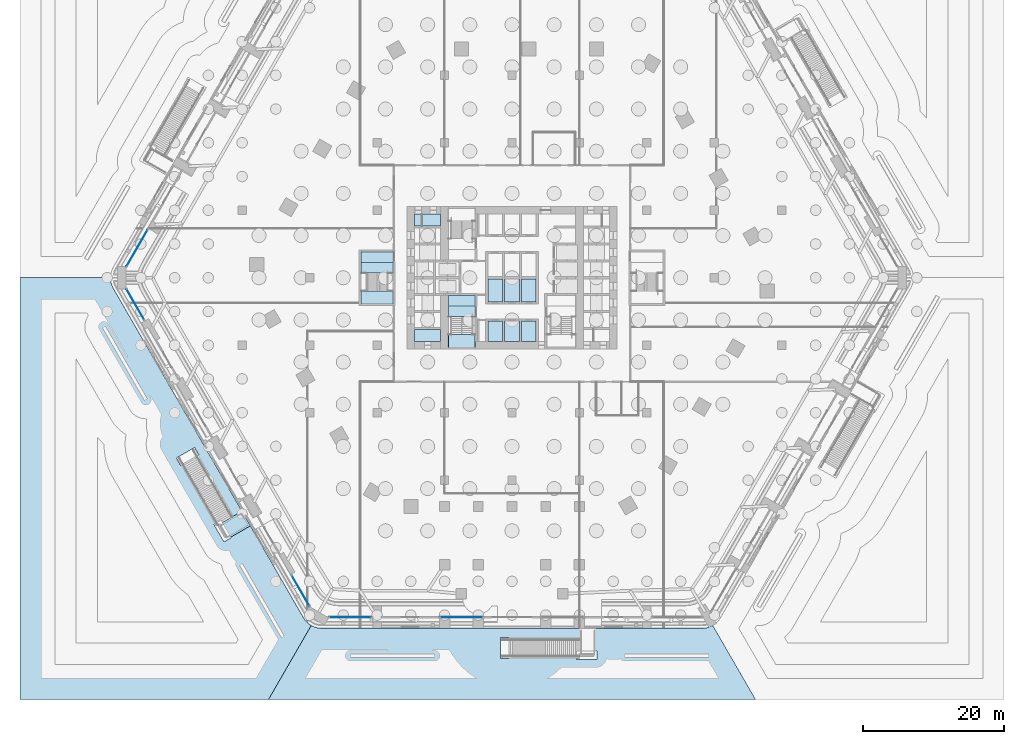
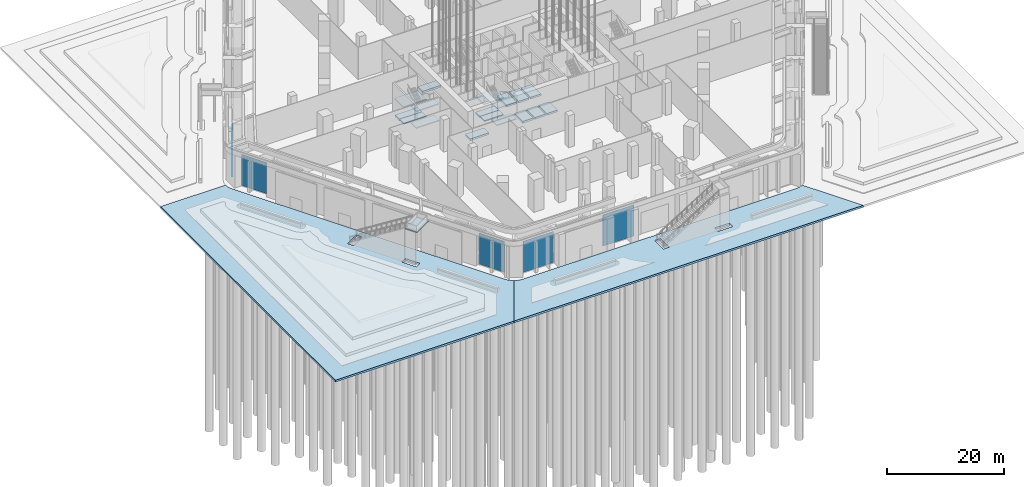
# One storey, part 10 of 68: 21 slabs, 5 plates, 8 elements without a shape of their own.
"""IFC4 building model written with IfcOpenShell, lengths in metres."""

from ifc_helpers import new_model, si_unit, direction, frame, origin, origin_2d, place, context, subcontext, project, spatial, polyline, rectangle, outline, extrude, material, layer, layer_set, type_object, element, aggregate, save


model = new_model("IFC4")

# Units and contexts
model_context = context("Model", 3, precision=1e-05, world=origin(), true_north=direction((0.0, 1.0)))
body_context = subcontext(model_context, "Body", "Model", "MODEL_VIEW")
ifc_project = project(units=[si_unit("LENGTHUNIT", "METRE"), si_unit("AREAUNIT", "SQUARE_METRE"), si_unit("VOLUMEUNIT", "CUBIC_METRE"), si_unit("PLANEANGLEUNIT", "RADIAN"), si_unit("MASSUNIT", "GRAM", prefix="KILO")], contexts=[model_context])

# Site, building, storey
site_placement = place(None, origin())
site = spatial("IfcSite", under=ifc_project, at=site_placement, CompositionType="ELEMENT")
building_placement = place(site_placement, origin())
building = spatial("IfcBuilding", under=site, at=building_placement, Name="Kolab Exchange Tower", CompositionType="ELEMENT")
storey_placement = place(building_placement, origin())
storey = spatial("IfcBuildingStorey", under=building, at=storey_placement, Name="L00", CompositionType="ELEMENT", Elevation=0.0)

# Stair, slab
ifc_material_1 = material(Name="Concrete C40/50", Category="concrete")
stair_type_1 = type_object("IfcStairType", Name="GARDEN STAIR RUN C", PredefinedType="STRAIGHT_RUN_STAIR", material=ifc_material_1)
stair_1_placement = place(storey_placement, origin())
stair_1 = element("IfcStair", 1, at=stair_1_placement, inside=storey, type_object=stair_type_1, Name="Garden stair GS5 run C", PredefinedType="STRAIGHT_RUN_STAIR")
ifc_layer_1 = layer(ifc_material_1, 0.199951171875)
ifc_layer_set_1 = layer_set([ifc_layer_1], Name="Concrete C40/50")
slab_type_1 = type_object("IfcSlabType", Name="GARDEN STAIR LANDING 200", PredefinedType="LANDING", material=ifc_layer_set_1)
slab_1_placement = place(storey_placement, frame((0.0, 0.0, 6.800048828125)))
slab_1 = element("IfcSlab", 2, at=slab_1_placement, type_object=slab_type_1, Name="GS5 landing 1", PredefinedType="LANDING", context=body_context, shape_type="SweptSolid", body=[
    extrude(outline(polyline([(-37.219970703125, -35.29931640625), (-38.422607421875, -33.21630859375), (-41.88671875, -35.21630859375), (-40.68408203125, -37.29931640625), (-37.219970703125, -35.29931640625)])), origin(), (0.0, 0.0, 1.0), 0.199951171875),
])
aggregate(stair_1, [slab_1])

# Slabs
ifc_material_2 = material(Name="Concrete C35/45", Category="concrete")
ifc_layer_2 = layer(ifc_material_2, 0.39990234375)
ifc_layer_set_2 = layer_set([ifc_layer_2], Name="Concrete C35/45")
slab_type_2 = type_object("IfcSlabType", Name="GROUND SLAB 400", PredefinedType="BASESLAB", material=ifc_layer_set_2)
slab_2_placement = place(storey_placement, frame((0.0, 0.0, -0.39990234375)))
element("IfcSlab", 3, at=slab_2_placement, inside=storey, type_object=slab_type_2, Name="slab/L00/floor/2", PredefinedType="BASESLAB", context=body_context, shape_type="SweptSolid", body=[
    extrude(outline(polyline([(-1.35009765625, -0.14990234375), (-3.449951171875, -0.14990234375), (-3.449951171875, -3.449951171875), (-1.35009765625, -3.449951171875), (-1.35009765625, -0.14990234375)])), origin(), (0.0, 0.0, 1.0), 0.39990234375),
])
slab_3_placement = place(storey_placement, frame((0.0, 0.0, -0.39990234375)))
element("IfcSlab", 4, at=slab_3_placement, inside=storey, type_object=slab_type_2, Name="slab/L00/floor/4", PredefinedType="BASESLAB", context=body_context, shape_type="SweptSolid", body=[
    extrude(outline(polyline([(-1.050048828125, -3.449951171875), (1.050048828125, -3.449951171875), (1.050048828125, -0.14990234375), (-1.050048828125, -0.14990234375), (-1.050048828125, -3.449951171875)])), origin(), (0.0, 0.0, 1.0), 0.39990234375),
])
slab_4_placement = place(storey_placement, frame((0.0, 0.0, -0.39990234375)))
element("IfcSlab", 5, at=slab_4_placement, inside=storey, type_object=slab_type_2, Name="slab/L00/floor/6", PredefinedType="BASESLAB", context=body_context, shape_type="SweptSolid", body=[
    extrude(outline(polyline([(1.35009765625, -3.449951171875), (3.449951171875, -3.449951171875), (3.449951171875, -0.14990234375), (1.35009765625, -0.14990234375), (1.35009765625, -3.449951171875)])), origin(), (0.0, 0.0, 1.0), 0.39990234375),
])
slab_5_placement = place(storey_placement, frame((0.0, 0.0, -0.39990234375)))
element("IfcSlab", 6, at=slab_5_placement, inside=storey, type_object=slab_type_2, Name="slab/L00/floor/8", PredefinedType="BASESLAB", context=body_context, shape_type="SweptSolid", body=[
    extrude(outline(polyline([(-21.449951171875, 3.64990234375), (-21.449951171875, 2.14990234375), (-16.949951171875, 2.14990234375), (-16.949951171875, 3.64990234375), (-21.449951171875, 3.64990234375)])), origin(), (0.0, 0.0, 1.0), 0.39990234375),
])
slab_6_placement = place(storey_placement, frame((0.0, 0.0, -0.39990234375)))
element("IfcSlab", 7, at=slab_6_placement, inside=storey, type_object=slab_type_2, Name="slab/L00/floor/10", PredefinedType="BASESLAB", context=body_context, shape_type="SweptSolid", body=[
    extrude(outline(polyline([(-13.85009765625, -7.35009765625), (-13.85009765625, -9.050048828125), (-10.14990234375, -9.050048828125), (-10.14990234375, -7.35009765625), (-13.85009765625, -7.35009765625)])), origin(), (0.0, 0.0, 1.0), 0.39990234375),
])
slab_7_placement = place(storey_placement, frame((0.0, 0.0, -0.39990234375)))
element("IfcSlab", 8, at=slab_7_placement, inside=storey, type_object=slab_type_2, Name="slab/L00/floor/11", PredefinedType="BASESLAB", context=body_context, shape_type="SweptSolid", body=[
    extrude(outline(polyline([(-13.85009765625, 7.35009765625), (-10.14990234375, 7.35009765625), (-10.14990234375, 9.050048828125), (-13.85009765625, 9.050048828125), (-13.85009765625, 7.35009765625)])), origin(), (0.0, 0.0, 1.0), 0.39990234375),
])
slab_8_placement = place(storey_placement, frame((0.0, 0.0, -0.39990234375)))
element("IfcSlab", 9, at=slab_8_placement, inside=storey, type_object=slab_type_2, Name="slab/L00/floor/15", PredefinedType="BASESLAB", context=body_context, shape_type="SweptSolid", body=[
    extrude(outline(polyline([(-1.050048828125, -6.14990234375), (-1.050048828125, -9.050048828125), (1.050048828125, -9.050048828125), (1.050048828125, -6.14990234375), (-1.050048828125, -6.14990234375)])), origin(), (0.0, 0.0, 1.0), 0.39990234375),
])
slab_9_placement = place(storey_placement, frame((0.0, 0.0, -0.39990234375)))
element("IfcSlab", 10, at=slab_9_placement, inside=storey, type_object=slab_type_2, Name="slab/L00/floor/17", PredefinedType="BASESLAB", context=body_context, shape_type="SweptSolid", body=[
    extrude(outline(polyline([(-1.35009765625, -6.14990234375), (-3.449951171875, -6.14990234375), (-3.449951171875, -9.050048828125), (-1.35009765625, -9.050048828125), (-1.35009765625, -6.14990234375)])), origin(), (0.0, 0.0, 1.0), 0.39990234375),
])
slab_10_placement = place(storey_placement, frame((0.0, 0.0, -0.39990234375)))
element("IfcSlab", 11, at=slab_10_placement, inside=storey, type_object=slab_type_2, Name="slab/L00/floor/19", PredefinedType="BASESLAB", context=body_context, shape_type="SweptSolid", body=[
    extrude(outline(polyline([(1.35009765625, -6.14990234375), (1.35009765625, -9.050048828125), (3.449951171875, -9.050048828125), (3.449951171875, -6.14990234375), (1.35009765625, -6.14990234375)])), origin(), (0.0, 0.0, 1.0), 0.39990234375),
])
slab_11_placement = place(storey_placement, frame((0.0, 0.0, -0.39990234375)))
element("IfcSlab", 12, at=slab_11_placement, inside=storey, type_object=slab_type_2, Name="slab/L00/floor/21", PredefinedType="BASESLAB", context=body_context, shape_type="SweptSolid", body=[
    extrude(outline(polyline([(-7.550048828125, -2.550048828125), (-9.050048828125, -2.550048828125), (-9.050048828125, -4.050048828125), (-5.25, -4.050048828125), (-5.25, -2.550048828125), (-7.25, -2.550048828125), (-7.550048828125, -2.550048828125)])), origin(), (0.0, 0.0, 1.0), 0.39990234375),
])
ifc_material_3 = material(Name="Concrete C30/37", Category="concrete")
ifc_layer_3 = layer(ifc_material_3, 0.39990234375)
ifc_layer_set_3 = layer_set([ifc_layer_3], Name="Concrete C30/37")
slab_type_3 = type_object("IfcSlabType", Name="PAVING SLAB 400", PredefinedType="USERDEFINED", material=ifc_layer_set_3)
slab_12_placement = place(storey_placement, frame((0.0, 0.0, -0.39990234375)))
element("IfcSlab", 13, at=slab_12_placement, inside=storey, type_object=slab_type_3, Name="slab/L00/paving/3", ObjectType="PAVING", PredefinedType="USERDEFINED", context=body_context, shape_type="SweptSolid", body=[
    extrude(outline(polyline([(-70.0, 0.0), (-70.0, -60.0), (-34.64111328125, -60.0), (-28.56787109375, -49.481201171875), (-28.996337890625, -49.18115234375), (-29.365966796875, -48.8115234375), (-29.666015625, -48.383056640625), (-56.73388671875, -1.5), (-56.955078125, -1.026123046875), (-57.09033203125, -0.52099609375), (-57.135986328125, 0.0), (-70.0, 0.0)]), holes=[polyline([(-40.98046875, -37.585693359375), (-42.430419921875, -35.07421875), (-41.391357421875, -34.474365234375), (-39.941162109375, -36.98583984375), (-40.98046875, -37.585693359375)]), polyline([(-45.15576171875, -24.15380859375), (-44.555908203125, -25.193115234375), (-47.15380859375, -26.693115234375), (-47.75390625, -25.65380859375), (-45.15576171875, -24.15380859375)])]), origin(), (0.0, 0.0, 1.0), 0.39990234375),
])
slab_13_placement = place(storey_placement, frame((0.0, 0.0, -0.39990234375)))
element("IfcSlab", 14, at=slab_13_placement, inside=storey, type_object=slab_type_3, Name="slab/L00/paving/4", ObjectType="PAVING", PredefinedType="USERDEFINED", context=body_context, shape_type="SweptSolid", body=[
    extrude(outline(polyline([(-34.64111328125, -60.0), (34.64111328125, -60.0), (28.56787109375, -49.481201171875), (28.093994140625, -49.7021484375), (27.5888671875, -49.83740234375), (27.06787109375, -49.883056640625), (-27.06787109375, -49.883056640625), (-27.5888671875, -49.83740234375), (-28.093994140625, -49.7021484375), (-28.56787109375, -49.481201171875), (-34.64111328125, -60.0)]), holes=[polyline([(-1.659912109375, -54.18310546875), (-1.659912109375, -51.18310546875), (-0.4599609375, -51.18310546875), (-0.4599609375, -54.18310546875), (-1.659912109375, -54.18310546875)]), polyline([(12.06005859375, -53.0830078125), (12.06005859375, -54.282958984375), (9.159912109375, -54.282958984375), (9.159912109375, -53.0830078125), (12.06005859375, -53.0830078125)])]), origin(), (0.0, 0.0, 1.0), 0.39990234375),
])

# Curtain wall, plate
ifc_material_4 = material(Name="Aluminium EN AW-6063 T6", Category="aluminium")
curtain_wall_type = type_object("IfcCurtainWallType", Name="PODIUM STRUCTURAL GLAZING CURTAIN WALL", PredefinedType="NOTDEFINED", material=ifc_material_4)
curtain_wall_1_placement = place(storey_placement, origin())
curtain_wall_1 = element("IfcCurtainWall", 15, at=curtain_wall_1_placement, inside=storey, type_object=curtain_wall_type, Name="cw/L00/F4-3", PredefinedType="NOTDEFINED")
ifc_material_5 = material(Name="Clear insulated glazing unit", Category="glass")
ifc_layer_4 = layer(ifc_material_5, 0.035888671875)
ifc_layer_set_4 = layer_set([ifc_layer_4], Name="Clear insulated glazing unit")
plate_type = type_object("IfcPlateType", Name="PODIUM STRUCTURAL GLAZING GLASS PANEL 36", PredefinedType="CURTAIN_PANEL", material=ifc_layer_set_4)
plate_1_placement = place(storey_placement, frame((-7.199951171875, -48.302978515625, 0.080078125), z_axis=(0.0, 0.0, 1.0), x_axis=(-1.0, 0.0, 0.0)))
plate_1 = element("IfcPlate", 16, at=plate_1_placement, type_object=plate_type, Name="CW5 panel 1.1", PredefinedType="CURTAIN_PANEL", context=body_context, shape_type="SweptSolid", body=[
    extrude(rectangle(XDim=6.14404296875, YDim=0.035888671875, at=origin_2d()), origin(), (0.0, 0.0, 1.0), 6.5400390625),
])
aggregate(curtain_wall_1, [plate_1])

curtain_wall_2_placement = place(storey_placement, origin())
curtain_wall_2 = element("IfcCurtainWall", 17, at=curtain_wall_2_placement, inside=storey, type_object=curtain_wall_type, Name="cw/L00/F4-4", PredefinedType="NOTDEFINED")
plate_2_placement = place(storey_placement, frame((-23.004150390625, -48.302978515625, 0.080078125), z_axis=(0.0, 0.0, 1.0), x_axis=(-1.0, 0.0, 0.0)))
plate_2 = element("IfcPlate", 18, at=plate_2_placement, type_object=plate_type, Name="CW5 panel 1.1", PredefinedType="CURTAIN_PANEL", context=body_context, shape_type="SweptSolid", body=[
    extrude(rectangle(XDim=6.0283203125, YDim=0.035888671875, at=origin_2d()), origin(), (0.0, 0.0, 1.0), 6.5400390625),
])
aggregate(curtain_wall_2, [plate_2])

curtain_wall_3_placement = place(storey_placement, origin())
curtain_wall_3 = element("IfcCurtainWall", 19, at=curtain_wall_3_placement, inside=storey, type_object=curtain_wall_type, Name="cw/L00/F5-1", PredefinedType="NOTDEFINED")
plate_3_placement = place(storey_placement, frame((-30.07958984375, -44.5068359375, 0.080078125), z_axis=(0.0, 0.0, 1.0), x_axis=(-0.499999948413, 0.866025433568, 0.0)))
plate_3 = element("IfcPlate", 20, at=plate_3_placement, type_object=plate_type, Name="CW5 panel 1.1", PredefinedType="CURTAIN_PANEL", context=body_context, shape_type="SweptSolid", body=[
    extrude(rectangle(XDim=5.0283203125, YDim=0.035888671875, at=origin_2d()), origin(), (0.0, 0.0, 1.0), 6.5400390625),
])
aggregate(curtain_wall_3, [plate_3])

curtain_wall_4_placement = place(storey_placement, origin())
curtain_wall_4 = element("IfcCurtainWall", 21, at=curtain_wall_4_placement, inside=storey, type_object=curtain_wall_type, Name="cw/L00/F5-2", PredefinedType="NOTDEFINED")
plate_4_placement = place(storey_placement, frame((-53.583740234375, -3.79638671875, 0.080078125), z_axis=(0.0, 0.0, 1.0), x_axis=(-0.499999948413, 0.866025433568, 0.0)))
plate_4 = element("IfcPlate", 22, at=plate_4_placement, type_object=plate_type, Name="CW5 panel 1.1", PredefinedType="CURTAIN_PANEL", context=body_context, shape_type="SweptSolid", body=[
    extrude(rectangle(XDim=5.0283203125, YDim=0.035888671875, at=origin_2d()), origin(), (0.0, 0.0, 1.0), 6.5400390625),
])
aggregate(curtain_wall_4, [plate_4])

curtain_wall_5_placement = place(storey_placement, origin())
curtain_wall_5 = element("IfcCurtainWall", 23, at=curtain_wall_5_placement, inside=storey, type_object=curtain_wall_type, Name="cw/L00/F6-1", PredefinedType="NOTDEFINED")
plate_5_placement = place(storey_placement, frame((-53.333740234375, 4.229248046875, 0.080078125), z_axis=(0.0, 0.0, 1.0), x_axis=(0.499999915039, 0.866025452837, 0.0)))
plate_5 = element("IfcPlate", 24, at=plate_5_placement, type_object=plate_type, Name="CW5 panel 1.1", PredefinedType="CURTAIN_PANEL", context=body_context, shape_type="SweptSolid", body=[
    extrude(rectangle(XDim=6.0283203125, YDim=0.035888671875, at=origin_2d()), origin(), (0.0, 0.0, 1.0), 6.5400390625),
])
aggregate(curtain_wall_5, [plate_5])

# Stair, slabs
ifc_material_6 = material(Name="Concrete C50/60", Category="concrete")
stair_type_2 = type_object("IfcStairType", Name="STAIR ST3 RISER 175", PredefinedType="DOUBLE_RETURN_STAIR", material=ifc_material_6)
stair_2_placement = place(storey_placement, origin())
stair_2 = element("IfcStair", 25, at=stair_2_placement, inside=storey, type_object=stair_type_2, Name="Stair 3", PredefinedType="DOUBLE_RETURN_STAIR")
ifc_layer_5 = layer(ifc_material_6, 0.199951171875)
ifc_layer_set_5 = layer_set([ifc_layer_5], Name="Concrete C50/60")
slab_type_4 = type_object("IfcSlabType", Name="STAIR LANDING 200", PredefinedType="LANDING", material=ifc_layer_set_5)
slab_14_placement = place(storey_placement, frame((0.0, 0.0, -0.199951171875)))
slab_14 = element("IfcSlab", 26, at=slab_14_placement, type_object=slab_type_4, Name="ST3 landing 1", PredefinedType="LANDING", context=body_context, shape_type="SweptSolid", body=[
    extrude(outline(polyline([(-9.050048828125, -5.550048828125), (-5.25, -5.550048828125), (-5.25, -4.050048828125), (-9.050048828125, -4.050048828125), (-9.050048828125, -5.550048828125)])), origin(), (0.0, 0.0, 1.0), 0.199951171875),
])
slab_15_placement = place(storey_placement, frame((0.0, 0.0, 1.550048828125)))
slab_15 = element("IfcSlab", 27, at=slab_15_placement, type_object=slab_type_4, Name="ST3 landing 2", PredefinedType="LANDING", context=body_context, shape_type="SweptSolid", body=[
    extrude(outline(polyline([(-9.110107421875, -9.909912109375), (-5.18994140625, -9.909912109375), (-5.18994140625, -8.070068359375), (-9.110107421875, -8.070068359375), (-9.110107421875, -9.909912109375)])), origin(), (0.0, 0.0, 1.0), 0.199951171875),
])
slab_16_placement = place(storey_placement, frame((0.0, 0.0, 3.300048828125)))
slab_16 = element("IfcSlab", 28, at=slab_16_placement, type_object=slab_type_4, Name="ST3 landing 3", PredefinedType="LANDING", context=body_context, shape_type="SweptSolid", body=[
    extrude(outline(polyline([(-9.110107421875, -5.550048828125), (-5.18994140625, -5.550048828125), (-5.18994140625, -2.489990234375), (-9.110107421875, -2.489990234375), (-9.110107421875, -5.550048828125)])), origin(), (0.0, 0.0, 1.0), 0.199951171875),
])
slab_17_placement = place(storey_placement, frame((0.0, 0.0, 5.050048828125)))
slab_17 = element("IfcSlab", 29, at=slab_17_placement, type_object=slab_type_4, Name="ST3 landing 4", PredefinedType="LANDING", context=body_context, shape_type="SweptSolid", body=[
    extrude(outline(polyline([(-9.050048828125, -9.909912109375), (-5.25, -9.909912109375), (-5.25, -8.070068359375), (-9.050048828125, -8.070068359375), (-9.050048828125, -9.909912109375)])), origin(), (0.0, 0.0, 1.0), 0.199951171875),
])
aggregate(stair_2, [slab_14, slab_15, slab_16, slab_17])

stair_type_3 = type_object("IfcStairType", Name="STAIR ST5 RISER 175", PredefinedType="DOUBLE_RETURN_STAIR", material=ifc_material_6)
stair_3_placement = place(storey_placement, origin())
stair_3 = element("IfcStair", 30, at=stair_3_placement, inside=storey, type_object=stair_type_3, Name="Stair 5", PredefinedType="DOUBLE_RETURN_STAIR")
slab_18_placement = place(storey_placement, frame((0.0, 0.0, -0.199951171875)))
slab_18 = element("IfcSlab", 31, at=slab_18_placement, type_object=slab_type_4, Name="ST5 landing 1", PredefinedType="LANDING", context=body_context, shape_type="SweptSolid", body=[
    extrude(outline(polyline([(-21.449951171875, 0.64990234375), (-16.949951171875, 0.64990234375), (-16.949951171875, 2.14990234375), (-21.449951171875, 2.14990234375), (-21.449951171875, 0.64990234375)])), origin(), (0.0, 0.0, 1.0), 0.199951171875),
])
slab_19_placement = place(storey_placement, frame((0.0, 0.0, 1.550048828125)))
slab_19 = element("IfcSlab", 32, at=slab_19_placement, type_object=slab_type_4, Name="ST5 landing 2", PredefinedType="LANDING", context=body_context, shape_type="SweptSolid", body=[
    extrude(outline(polyline([(-21.510009765625, -3.7099609375), (-16.889892578125, -3.7099609375), (-16.889892578125, -1.8701171875), (-21.510009765625, -1.8701171875), (-21.510009765625, -3.7099609375)])), origin(), (0.0, 0.0, 1.0), 0.199951171875),
])
slab_20_placement = place(storey_placement, frame((0.0, 0.0, 3.300048828125)))
slab_20 = element("IfcSlab", 33, at=slab_20_placement, type_object=slab_type_4, Name="ST5 landing 3", PredefinedType="LANDING", context=body_context, shape_type="SweptSolid", body=[
    extrude(outline(polyline([(-21.510009765625, 0.64990234375), (-16.889892578125, 0.64990234375), (-16.889892578125, 3.7099609375), (-21.510009765625, 3.7099609375), (-21.510009765625, 0.64990234375)])), origin(), (0.0, 0.0, 1.0), 0.199951171875),
])
slab_21_placement = place(storey_placement, frame((0.0, 0.0, 5.050048828125)))
slab_21 = element("IfcSlab", 34, at=slab_21_placement, type_object=slab_type_4, Name="ST5 landing 4", PredefinedType="LANDING", context=body_context, shape_type="SweptSolid", body=[
    extrude(outline(polyline([(-21.449951171875, -3.7099609375), (-16.949951171875, -3.7099609375), (-16.949951171875, -1.8701171875), (-21.449951171875, -1.8701171875), (-21.449951171875, -3.7099609375)])), origin(), (0.0, 0.0, 1.0), 0.199951171875),
])
aggregate(stair_3, [slab_18, slab_19, slab_20, slab_21])

save(model, "model.ifc")
